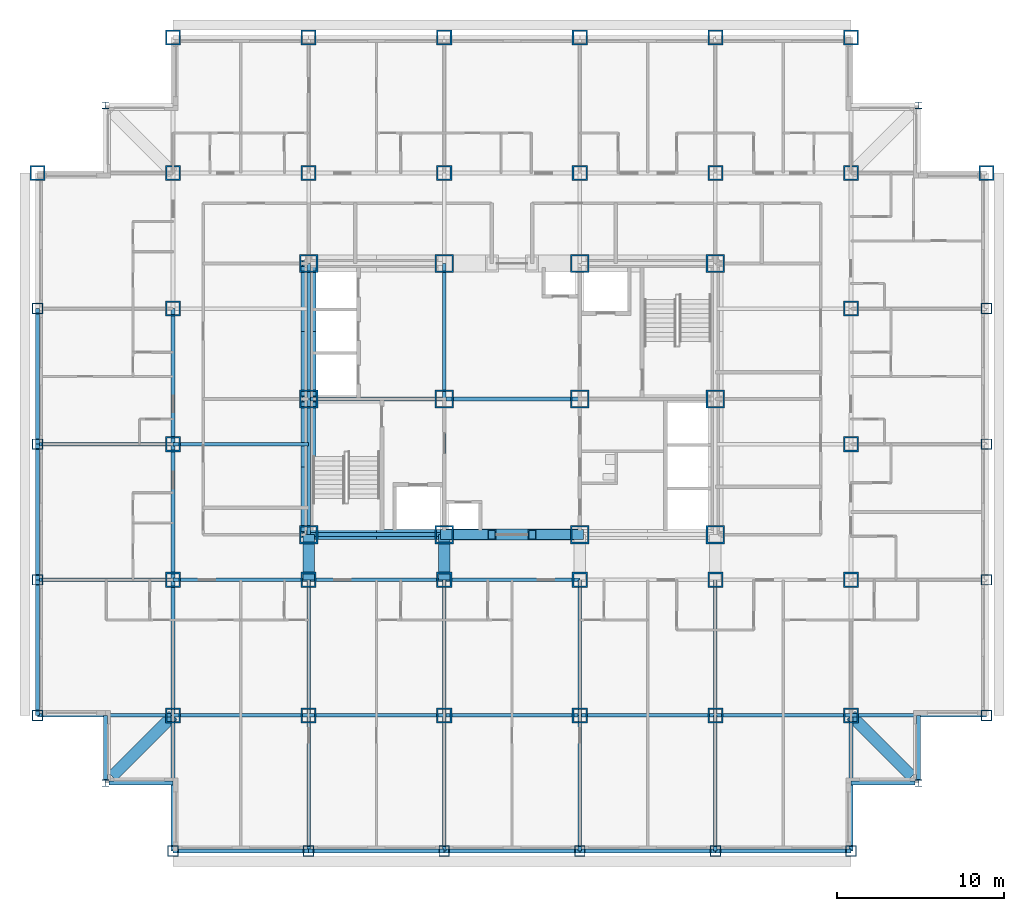
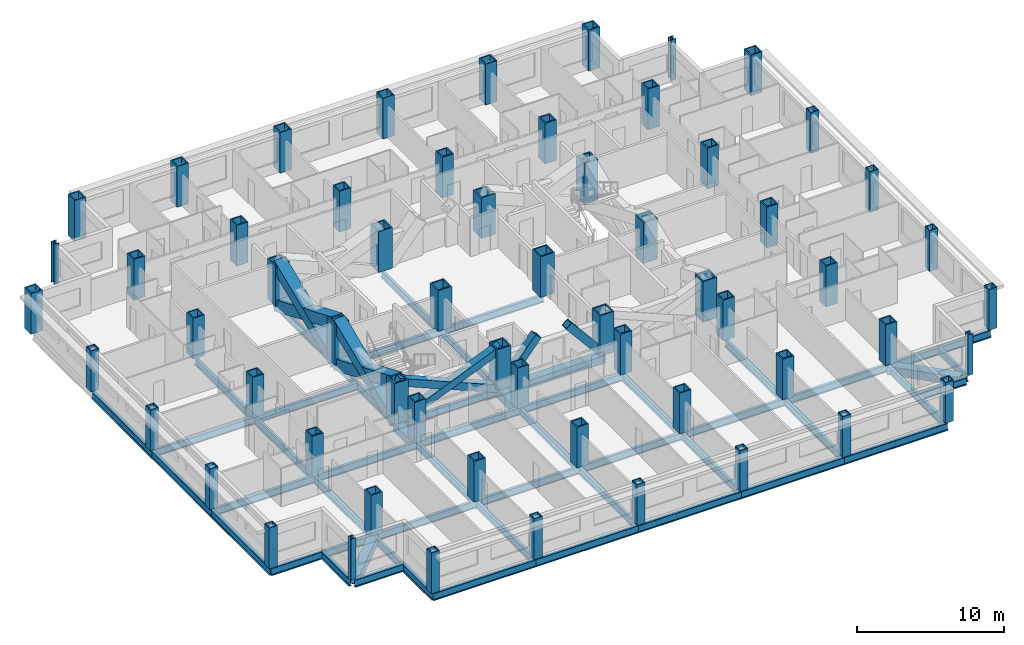
# One storey, part 1 of 14: 60 columns, 50 beams, 8 members.
"""IFC4 building model written with IfcOpenShell, lengths in metres."""

from ifc_helpers import new_model, si_unit, direction, frame, origin, origin_2d, place, context, subcontext, project, spatial, hollow_rectangle, i_section, extrude, material, material_profile, profile_set, type_object, element, save


model = new_model("IFC4")

# Units and contexts
model_context = context("Model", 3, precision=1e-05, world=origin(), true_north=direction((0.0, 1.0)))
body_context = subcontext(model_context, "Body", "Model", "MODEL_VIEW")
ifc_project = project(units=[si_unit("LENGTHUNIT", "METRE"), si_unit("AREAUNIT", "SQUARE_METRE"), si_unit("VOLUMEUNIT", "CUBIC_METRE"), si_unit("PLANEANGLEUNIT", "RADIAN"), si_unit("MASSUNIT", "GRAM", prefix="KILO")], contexts=[model_context])

# Site, building, storey
site_placement = place(None, origin())
site = spatial("IfcSite", under=ifc_project, at=site_placement, CompositionType="ELEMENT")
building_placement = place(site_placement, origin())
building = spatial("IfcBuilding", under=site, at=building_placement, Name="Kopane Lantern Tower", CompositionType="ELEMENT")
storey_placement = place(building_placement, frame((0.0, 0.0, 123.800048828125)))
storey = spatial("IfcBuildingStorey", under=building, at=storey_placement, Name="L31", CompositionType="ELEMENT", Elevation=123.800048828125)

# Columns
ifc_material_1 = material(Name="Steel S355JR", Category="steel")
ifc_material_profile_1 = material_profile(ifc_material_1, hollow_rectangle(XDim=1.10009765625, YDim=1.10009765625, WallThickness=0.10009765625, at=origin_2d()), Name="BOX 1100x1100x100")
ifc_profile_set_1 = profile_set([ifc_material_profile_1], Name="Steel S355JR")
column_type_1 = type_object("IfcColumnType", Name="COLUMN BOX 1100x1100x100", PredefinedType="COLUMN", material=ifc_profile_set_1)
for number, where, z_axis, x_axis, name in (
    (1, (16.199951171875, 24.300048828125, 0.0), (0.0, 0.0, 1.0), (1.0, 0.0, 0.0), "Column 4/E L31"),
    (2, (16.199951171875, 32.39990234375, 0.0), (0.0, 0.0, 1.0), (1.0, 0.0, 0.0), "Column 4/F L31"),
    (3, (16.199951171875, 40.5, 0.0), (0.0, 0.0, 1.0), (1.0, 0.0, 0.0), "Column 4/G L31"),
    (4, (24.300048828125, 24.300048828125, 0.0), (0.0, 0.0, 1.0), (1.0, 0.0, 0.0), "Column 5/E L31"),
    (5, (24.300048828125, 32.39990234375, 0.0), (0.0, 0.0, 1.0), (1.0, 0.0, 0.0), "Column 5/F L31"),
    (6, (24.300048828125, 40.5, 0.0), (0.0, 0.0, 1.0), (1.0, 0.0, 0.0), "Column 5/G L31"),
    (7, (32.39990234375, 24.300048828125, 0.0), (0.0, 0.0, 1.0), (1.0, 0.0, 0.0), "Column 6/E L31"),
    (8, (32.39990234375, 32.39990234375, 0.0), (0.0, 0.0, 1.0), (1.0, 0.0, 0.0), "Column 6/F L31"),
    (9, (32.39990234375, 40.5, 0.0), (0.0, 0.0, 1.0), (1.0, 0.0, 0.0), "Column 6/G L31"),
    (10, (40.5, 24.300048828125, 0.0), (0.0, 0.0, 1.0), (1.0, 0.0, 0.0), "Column 7/E L31"),
    (11, (40.5, 32.39990234375, 0.0), (0.0, 0.0, 1.0), (1.0, 0.0, 0.0), "Column 7/F L31"),
    (12, (40.5, 40.5, 0.0), (0.0, 0.0, 1.0), (1.0, 0.0, 0.0), "Column 7/G L31"),
):
    element("IfcColumn", number, at=place(storey_placement, frame(where, z_axis=z_axis, x_axis=x_axis)), inside=storey, type_object=column_type_1, Name=name, PredefinedType="COLUMN", context=body_context, shape_type="SweptSolid", body=[
        extrude(hollow_rectangle(XDim=1.10009765625, YDim=1.10009765625, WallThickness=0.10009765625, at=origin_2d()), origin(), (0.0, 0.0, 1.0), 3.39990234375),
    ])
ifc_material_2 = material(Name="Steel S355JR", Category="steel")
ifc_material_profile_2 = material_profile(ifc_material_2, hollow_rectangle(XDim=0.64990234375, YDim=0.64990234375, WallThickness=0.054931640625, at=origin_2d()), Name="BOX 650x650x55")
ifc_profile_set_2 = profile_set([ifc_material_profile_2], Name="Steel S355JR")
column_type_2 = type_object("IfcColumnType", Name="COLUMN BOX 650x650x55", PredefinedType="COLUMN", material=ifc_profile_set_2)
for number, where, z_axis, x_axis, name in (
    (13, (0.0, 13.5, 0.0), (0.0, 0.0, 1.0), (1.0, 0.0, 0.0), "Column 2/P2 L31"),
    (14, (0.0, 21.60009765625, 0.0), (0.0, 0.0, 1.0), (1.0, 0.0, 0.0), "Column 2/P3 L31"),
    (15, (0.0, 29.699951171875, 0.0), (0.0, 0.0, 1.0), (1.0, 0.0, 0.0), "Column 2/P4 L31"),
    (16, (0.0, 37.800048828125, 0.0), (0.0, 0.0, 1.0), (1.0, 0.0, 0.0), "Column 2/P5 L31"),
    (17, (8.10009765625, 5.39990234375, 0.0), (0.0, 0.0, 1.0), (1.0, 0.0, 0.0), "Column 3/P1 L31"),
    (18, (16.199951171875, 5.39990234375, 0.0), (0.0, 0.0, 1.0), (1.0, 0.0, 0.0), "Column 4/P1 L31"),
    (19, (24.300048828125, 5.39990234375, 0.0), (0.0, 0.0, 1.0), (1.0, 0.0, 0.0), "Column 5/P1 L31"),
    (20, (32.39990234375, 5.39990234375, 0.0), (0.0, 0.0, 1.0), (1.0, 0.0, 0.0), "Column 6/P1 L31"),
    (21, (40.5, 5.39990234375, 0.0), (0.0, 0.0, 1.0), (1.0, 0.0, 0.0), "Column 7/P1 L31"),
    (22, (48.60009765625, 5.39990234375, 0.0), (0.0, 0.0, 1.0), (1.0, 0.0, 0.0), "Column 8/P1 L31"),
    (23, (56.699951171875, 13.5, 0.0), (0.0, 0.0, 1.0), (1.0, 0.0, 0.0), "Column 9/P2 L31"),
    (24, (56.699951171875, 21.60009765625, 0.0), (0.0, 0.0, 1.0), (1.0, 0.0, 0.0), "Column 9/P3 L31"),
    (25, (56.699951171875, 29.699951171875, 0.0), (0.0, 0.0, 1.0), (1.0, 0.0, 0.0), "Column 9/P4 L31"),
    (26, (56.699951171875, 37.800048828125, 0.0), (0.0, 0.0, 1.0), (1.0, 0.0, 0.0), "Column 9/P5 L31"),
):
    element("IfcColumn", number, at=place(storey_placement, frame(where, z_axis=z_axis, x_axis=x_axis)), inside=storey, type_object=column_type_2, Name=name, PredefinedType="COLUMN", context=body_context, shape_type="SweptSolid", body=[
        extrude(hollow_rectangle(XDim=0.64990234375, YDim=0.64990234375, WallThickness=0.054931640625, at=origin_2d()), origin(), (0.0, 0.0, 1.0), 3.39990234375),
    ])
ifc_material_3 = material(Name="Steel S355JR", Category="steel")
ifc_material_profile_3 = material_profile(ifc_material_3, hollow_rectangle(XDim=0.89990234375, YDim=0.89990234375, WallThickness=0.090087890625, at=origin_2d()), Name="BOX 900x900x90")
ifc_profile_set_3 = profile_set([ifc_material_profile_3], Name="Steel S355JR")
column_type_3 = type_object("IfcColumnType", Name="COLUMN BOX 900x900x90", PredefinedType="COLUMN", material=ifc_profile_set_3)
for number, where, z_axis, x_axis, name in (
    (27, (0.0, 45.89990234375, 0.0), (0.0, 0.0, 1.0), (1.0, 0.0, 0.0), "Column 2/P6 L31"),
    (28, (8.10009765625, 13.5, 0.0), (0.0, 0.0, 1.0), (1.0, 0.0, 0.0), "Column 3/P2 L31"),
    (29, (8.10009765625, 21.60009765625, 0.0), (0.0, 0.0, 1.0), (1.0, 0.0, 0.0), "Column 3/P3 L31"),
    (30, (8.10009765625, 29.699951171875, 0.0), (0.0, 0.0, 1.0), (1.0, 0.0, 0.0), "Column 3/P4 L31"),
    (31, (8.10009765625, 37.800048828125, 0.0), (0.0, 0.0, 1.0), (1.0, 0.0, 0.0), "Column 3/P5 L31"),
    (32, (8.10009765625, 45.89990234375, 0.0), (0.0, 0.0, 1.0), (1.0, 0.0, 0.0), "Column 3/P6 L31"),
    (33, (8.10009765625, 54.0, 0.0), (0.0, 0.0, 1.0), (1.0, 0.0, 0.0), "Column 3/P7 L31"),
    (34, (16.199951171875, 13.5, 0.0), (0.0, 0.0, 1.0), (1.0, 0.0, 0.0), "Column 4/P2 L31"),
    (35, (16.199951171875, 21.60009765625, 0.0), (0.0, 0.0, 1.0), (1.0, 0.0, 0.0), "Column 4/P3 L31"),
    (36, (16.199951171875, 45.89990234375, 0.0), (0.0, 0.0, 1.0), (1.0, 0.0, 0.0), "Column 4/P6 L31"),
    (37, (16.199951171875, 54.0, 0.0), (0.0, 0.0, 1.0), (1.0, 0.0, 0.0), "Column 4/P7 L31"),
    (38, (24.300048828125, 13.5, 0.0), (0.0, 0.0, 1.0), (1.0, 0.0, 0.0), "Column 5/P2 L31"),
    (39, (24.300048828125, 21.60009765625, 0.0), (0.0, 0.0, 1.0), (1.0, 0.0, 0.0), "Column 5/P3 L31"),
    (40, (24.300048828125, 45.89990234375, 0.0), (0.0, 0.0, 1.0), (1.0, 0.0, 0.0), "Column 5/P6 L31"),
    (41, (24.300048828125, 54.0, 0.0), (0.0, 0.0, 1.0), (1.0, 0.0, 0.0), "Column 5/P7 L31"),
    (42, (32.39990234375, 13.5, 0.0), (0.0, 0.0, 1.0), (1.0, 0.0, 0.0), "Column 6/P2 L31"),
    (43, (32.39990234375, 21.60009765625, 0.0), (0.0, 0.0, 1.0), (1.0, 0.0, 0.0), "Column 6/P3 L31"),
    (44, (32.39990234375, 45.89990234375, 0.0), (0.0, 0.0, 1.0), (1.0, 0.0, 0.0), "Column 6/P6 L31"),
    (45, (32.39990234375, 54.0, 0.0), (0.0, 0.0, 1.0), (1.0, 0.0, 0.0), "Column 6/P7 L31"),
    (46, (40.5, 13.5, 0.0), (0.0, 0.0, 1.0), (1.0, 0.0, 0.0), "Column 7/P2 L31"),
    (47, (40.5, 21.60009765625, 0.0), (0.0, 0.0, 1.0), (1.0, 0.0, 0.0), "Column 7/P3 L31"),
    (48, (40.5, 45.89990234375, 0.0), (0.0, 0.0, 1.0), (1.0, 0.0, 0.0), "Column 7/P6 L31"),
    (49, (40.5, 54.0, 0.0), (0.0, 0.0, 1.0), (1.0, 0.0, 0.0), "Column 7/P7 L31"),
    (50, (48.60009765625, 13.5, 0.0), (0.0, 0.0, 1.0), (1.0, 0.0, 0.0), "Column 8/P2 L31"),
    (51, (48.60009765625, 21.60009765625, 0.0), (0.0, 0.0, 1.0), (1.0, 0.0, 0.0), "Column 8/P3 L31"),
    (52, (48.60009765625, 29.699951171875, 0.0), (0.0, 0.0, 1.0), (1.0, 0.0, 0.0), "Column 8/P4 L31"),
    (53, (48.60009765625, 37.800048828125, 0.0), (0.0, 0.0, 1.0), (1.0, 0.0, 0.0), "Column 8/P5 L31"),
    (54, (48.60009765625, 45.89990234375, 0.0), (0.0, 0.0, 1.0), (1.0, 0.0, 0.0), "Column 8/P6 L31"),
    (55, (48.60009765625, 54.0, 0.0), (0.0, 0.0, 1.0), (1.0, 0.0, 0.0), "Column 8/P7 L31"),
    (56, (56.699951171875, 45.89990234375, 0.0), (0.0, 0.0, 1.0), (1.0, 0.0, 0.0), "Column 9/P6 L31"),
):
    element("IfcColumn", number, at=place(storey_placement, frame(where, z_axis=z_axis, x_axis=x_axis)), inside=storey, type_object=column_type_3, Name=name, PredefinedType="COLUMN", context=body_context, shape_type="SweptSolid", body=[
        extrude(hollow_rectangle(XDim=0.89990234375, YDim=0.89990234375, WallThickness=0.090087890625, at=origin_2d()), origin(), (0.0, 0.0, 1.0), 3.39990234375),
    ])
ifc_material_4 = material(Name="Steel S355JR", Category="steel")
ifc_material_profile_4 = material_profile(ifc_material_4, i_section(OverallWidth=0.406982421875, OverallDepth=0.4189453125, WebThickness=0.030517578125, FlangeThickness=0.04931640625, FilletRadius=0.01513671875, at=origin_2d()), Name="UC 356x406x393")
ifc_profile_set_4 = profile_set([ifc_material_profile_4], Name="Steel S355JR")
column_type_4 = type_object("IfcColumnType", Name="COLUMN UC 356x406x393", PredefinedType="COLUMN", material=ifc_profile_set_4)
for number, where, z_axis, x_axis, name in (
    (57, (4.050048828125, 9.449951171875, 0.0), (0.0, 0.0, 1.0), (1.0, 0.0, 0.0), "Column 4.05/9.45 L31"),
    (58, (4.050048828125, 49.949951171875, 0.0), (0.0, 0.0, 1.0), (1.0, 0.0, 0.0), "Column 4.05/49.95 L31"),
    (59, (52.64990234375, 9.449951171875, 0.0), (0.0, 0.0, 1.0), (1.0, 0.0, 0.0), "Column 52.65/9.45 L31"),
    (60, (52.64990234375, 49.949951171875, 0.0), (0.0, 0.0, 1.0), (1.0, 0.0, 0.0), "Column 52.65/49.95 L31"),
):
    element("IfcColumn", number, at=place(storey_placement, frame(where, z_axis=z_axis, x_axis=x_axis)), inside=storey, type_object=column_type_4, Name=name, PredefinedType="COLUMN", context=body_context, shape_type="SweptSolid", body=[
        extrude(i_section(OverallWidth=0.406982421875, OverallDepth=0.4189453125, WebThickness=0.030517578125, FlangeThickness=0.04931640625, FilletRadius=0.01513671875, at=origin_2d()), origin(), (0.0, 0.0, 1.0), 3.39990234375),
    ])

# Members
ifc_material_5 = material(Name="Steel S355JR", Category="steel")
ifc_material_profile_5 = material_profile(ifc_material_5, hollow_rectangle(XDim=0.60009765625, YDim=0.60009765625, WallThickness=0.050048828125, at=origin_2d()), Name="BOX 600x600x50")
ifc_profile_set_5 = profile_set([ifc_material_profile_5], Name="Steel S355JR")
member_type_1 = type_object("IfcMemberType", Name="BRACE BOX 600x600x50", PredefinedType="BRACE", material=ifc_profile_set_5)
for number, where, z_axis, x_axis, name in (
    (61, (16.199951171875, 24.300048828125, -0.2099609375), (0.922069000757, 0.0, 0.387025526088), (0.0, 1.0, 0.0), "Core brace L31"),
    (62, (24.300048828125, 24.300048828125, -0.2099609375), (-0.922069000757, 0.0, 0.387025526088), (0.0, -1.0, 0.0), "Core brace L31"),
):
    element("IfcMember", number, at=place(storey_placement, frame(where, z_axis=z_axis, x_axis=x_axis)), inside=storey, type_object=member_type_1, Name=name, PredefinedType="BRACE", context=body_context, shape_type="SweptSolid", body=[
        extrude(hollow_rectangle(XDim=0.60009765625, YDim=0.60009765625, WallThickness=0.050048828125, at=origin_2d()), origin(), (0.0, 0.0, 1.0), 8.78466796875),
    ])
for number, where, z_axis, x_axis, name in (
    (63, (24.300048828125, 24.300048828125, -0.2099609375), (0.642390257445, 0.0, 0.7663776857), (0.0, 1.0, 0.0), "Core brace L31"),
    (64, (32.39990234375, 24.300048828125, -0.2099609375), (-0.642390257445, 0.0, 0.7663776857), (0.0, -1.0, 0.0), "Core brace L31"),
):
    element("IfcMember", number, at=place(storey_placement, frame(where, z_axis=z_axis, x_axis=x_axis)), inside=storey, type_object=member_type_1, Name=name, PredefinedType="BRACE", context=body_context, shape_type="SweptSolid", body=[
        extrude(hollow_rectangle(XDim=0.60009765625, YDim=0.60009765625, WallThickness=0.050048828125, at=origin_2d()), origin(), (0.0, 0.0, 1.0), 4.436279296875),
    ])
ifc_material_6 = material(Name="Steel S355JR", Category="steel")
ifc_material_profile_6 = material_profile(ifc_material_6, hollow_rectangle(XDim=0.89990234375, YDim=0.89990234375, WallThickness=0.090087890625, at=origin_2d()), Name="BOX 900x900x90")
ifc_profile_set_6 = profile_set([ifc_material_profile_6], Name="Steel S355JR")
member_type_2 = type_object("IfcMemberType", Name="BRACE BOX 900x900x90", PredefinedType="BRACE", material=ifc_profile_set_6)
for number, where, z_axis, x_axis, name in (
    (65, (16.199951171875, 24.300048828125, -0.2099609375), (0.0, 0.922064837731, 0.38703544414), (-1.0, 0.0, 0.0), "Core brace L31"),
    (66, (16.199951171875, 32.39990234375, -0.2099609375), (0.0, -0.922064837731, 0.38703544414), (1.0, 0.0, 0.0), "Core brace L31"),
):
    element("IfcMember", number, at=place(storey_placement, frame(where, z_axis=z_axis, x_axis=x_axis)), inside=storey, type_object=member_type_2, Name=name, PredefinedType="BRACE", context=body_context, shape_type="SweptSolid", body=[
        extrude(hollow_rectangle(XDim=0.89990234375, YDim=0.89990234375, WallThickness=0.090087890625, at=origin_2d()), origin(), (0.0, 0.0, 1.0), 8.784423828125),
    ])
for number, where, z_axis, x_axis, name in (
    (67, (16.199951171875, 32.39990234375, -0.2099609375), (0.0, 0.922069000757, 0.387025526088), (-1.0, 0.0, 0.0), "Core brace L31"),
    (68, (16.199951171875, 40.5, -0.2099609375), (0.0, -0.922069000757, 0.387025526088), (1.0, 0.0, 0.0), "Core brace L31"),
):
    element("IfcMember", number, at=place(storey_placement, frame(where, z_axis=z_axis, x_axis=x_axis)), inside=storey, type_object=member_type_2, Name=name, PredefinedType="BRACE", context=body_context, shape_type="SweptSolid", body=[
        extrude(hollow_rectangle(XDim=0.89990234375, YDim=0.89990234375, WallThickness=0.090087890625, at=origin_2d()), origin(), (0.0, 0.0, 1.0), 8.78466796875),
    ])

# Beams
ifc_material_7 = material(Name="Steel S355JR", Category="steel")
ifc_material_profile_7 = material_profile(ifc_material_7, i_section(OverallWidth=0.22900390625, OverallDepth=0.6123046875, WebThickness=0.011962890625, FlangeThickness=0.01953125, FilletRadius=0.0126953125, at=origin_2d()), Name="UB 610x229x125")
ifc_profile_set_7 = profile_set([ifc_material_profile_7], Name="Steel S355JR")
beam_type_1 = type_object("IfcBeamType", Name="CORE BEAM UB 610x229x125", PredefinedType="BEAM", material=ifc_profile_set_7)
beam_1_placement = place(storey_placement, frame((16.199951171875, 32.39990234375, -0.51611328125), z_axis=(1.0, 0.0, 0.0), x_axis=(0.0, 1.0, 0.0)))
element("IfcBeam", 69, at=beam_1_placement, inside=storey, type_object=beam_type_1, Name="Core Beam L31", PredefinedType="BEAM", context=body_context, shape_type="SweptSolid", body=[
    extrude(i_section(OverallWidth=0.22900390625, OverallDepth=0.6123046875, WebThickness=0.011962890625, FlangeThickness=0.01953125, FilletRadius=0.0126953125, at=origin_2d()), origin(), (0.0, 0.0, 1.0), 8.10009765625),
])
beam_2_placement = place(storey_placement, frame((24.300048828125, 24.300048828125, -0.51611328125), z_axis=(0.0, 1.0, 0.0), x_axis=(-1.0, 0.0, 0.0)))
element("IfcBeam", 70, at=beam_2_placement, inside=storey, type_object=beam_type_1, Name="Core Beam L31", PredefinedType="BEAM", context=body_context, shape_type="SweptSolid", body=[
    extrude(i_section(OverallWidth=0.22900390625, OverallDepth=0.6123046875, WebThickness=0.011962890625, FlangeThickness=0.01953125, FilletRadius=0.0126953125, at=origin_2d()), origin(), (0.0, 0.0, 1.0), 8.099853515625),
])
beam_3_placement = place(storey_placement, frame((24.300048828125, 32.39990234375, -0.51611328125), z_axis=(0.0, 1.0, 0.0), x_axis=(-1.0, 0.0, 0.0)))
element("IfcBeam", 71, at=beam_3_placement, inside=storey, type_object=beam_type_1, Name="Core Beam L31", PredefinedType="BEAM", context=body_context, shape_type="SweptSolid", body=[
    extrude(i_section(OverallWidth=0.22900390625, OverallDepth=0.6123046875, WebThickness=0.011962890625, FlangeThickness=0.01953125, FilletRadius=0.0126953125, at=origin_2d()), origin(), (0.0, 0.0, 1.0), 8.10009765625),
])
beam_4_placement = place(storey_placement, frame((24.300048828125, 32.39990234375, -0.51611328125), z_axis=(1.0, 0.0, 0.0), x_axis=(0.0, 1.0, 0.0)))
element("IfcBeam", 72, at=beam_4_placement, inside=storey, type_object=beam_type_1, Name="Core Beam L31", PredefinedType="BEAM", context=body_context, shape_type="SweptSolid", body=[
    extrude(i_section(OverallWidth=0.22900390625, OverallDepth=0.6123046875, WebThickness=0.011962890625, FlangeThickness=0.01953125, FilletRadius=0.0126953125, at=origin_2d()), origin(), (0.0, 0.0, 1.0), 8.099853515625),
])
ifc_material_8 = material(Name="Steel S355JR", Category="steel")
ifc_material_profile_8 = material_profile(ifc_material_8, hollow_rectangle(XDim=0.699951171875, YDim=0.699951171875, WallThickness=0.06005859375, at=origin_2d()), Name="BOX 700x700x60")
ifc_profile_set_8 = profile_set([ifc_material_profile_8], Name="Steel S355JR")
beam_type_2 = type_object("IfcBeamType", Name="CORNER TIE BEAM BOX 700x700x60", PredefinedType="BEAM", material=ifc_profile_set_8)
beam_5_placement = place(storey_placement, frame((4.447509765625, 9.847412109375, -0.56005859375), z_axis=(0.707106781187, 0.707106781187, 0.0), x_axis=(-0.707106781187, 0.707106781187, 0.0)))
element("IfcBeam", 73, at=beam_5_placement, inside=storey, type_object=beam_type_2, Name="Corner Tie Beam L31", PredefinedType="BEAM", context=body_context, shape_type="SweptSolid", body=[
    extrude(hollow_rectangle(XDim=0.699951171875, YDim=0.699951171875, WallThickness=0.06005859375, at=origin_2d()), origin(), (0.0, 0.0, 1.0), 5.16552734375),
])
beam_6_placement = place(storey_placement, frame((52.25244140625, 9.847412109375, -0.56005859375), z_axis=(-0.707083148333, 0.70713041325, 0.0), x_axis=(-0.70713041325, -0.707083148333, 0.0)))
element("IfcBeam", 74, at=beam_6_placement, inside=storey, type_object=beam_type_2, Name="Corner Tie Beam L31", PredefinedType="BEAM", context=body_context, shape_type="SweptSolid", body=[
    extrude(hollow_rectangle(XDim=0.699951171875, YDim=0.699951171875, WallThickness=0.06005859375, at=origin_2d()), origin(), (0.0, 0.0, 1.0), 5.165283203125),
])
ifc_material_9 = material(Name="Steel S355JR", Category="steel")
ifc_material_profile_9 = material_profile(ifc_material_9, i_section(OverallWidth=0.22900390625, OverallDepth=0.6123046875, WebThickness=0.011962890625, FlangeThickness=0.01953125, FilletRadius=0.0126953125, at=origin_2d()), Name="UB 610x229x125")
ifc_profile_set_9 = profile_set([ifc_material_profile_9], Name="Steel S355JR")
beam_type_3 = type_object("IfcBeamType", Name="EDGE BEAM UB 610x229x125", PredefinedType="BEAM", material=ifc_profile_set_9)
beam_7_placement = place(storey_placement, frame((4.050048828125, 9.653564453125, -0.51611328125), z_axis=(0.0, 1.0, 0.0), x_axis=(-1.0, 0.0, 0.0)))
element("IfcBeam", 75, at=beam_7_placement, inside=storey, type_object=beam_type_3, Name="Edge Beam L31", PredefinedType="BEAM", context=body_context, shape_type="SweptSolid", body=[
    extrude(i_section(OverallWidth=0.22900390625, OverallDepth=0.6123046875, WebThickness=0.011962890625, FlangeThickness=0.01953125, FilletRadius=0.0126953125, at=origin_2d()), origin(), (0.0, 0.0, 1.0), 3.846435546875),
])
beam_8_placement = place(storey_placement, frame((4.25341796875, 9.449951171875, -0.51611328125), z_axis=(1.0, 0.0, 0.0), x_axis=(0.0, 1.0, 0.0)))
element("IfcBeam", 76, at=beam_8_placement, inside=storey, type_object=beam_type_3, Name="Edge Beam L31", PredefinedType="BEAM", context=body_context, shape_type="SweptSolid", body=[
    extrude(i_section(OverallWidth=0.22900390625, OverallDepth=0.6123046875, WebThickness=0.011962890625, FlangeThickness=0.01953125, FilletRadius=0.0126953125, at=origin_2d()), origin(), (0.0, 0.0, 1.0), 3.8466796875),
])
for number, where, z_axis, x_axis, name in (
    (77, (52.446533203125, 9.449951171875, -0.51611328125), (-1.0, 0.0, 0.0), (0.0, -1.0, 0.0), "Edge Beam L31"),
    (78, (52.64990234375, 9.653564453125, -0.51611328125), (0.0, 1.0, 0.0), (-1.0, 0.0, 0.0), "Edge Beam L31"),
):
    element("IfcBeam", number, at=place(storey_placement, frame(where, z_axis=z_axis, x_axis=x_axis)), inside=storey, type_object=beam_type_3, Name=name, PredefinedType="BEAM", context=body_context, shape_type="SweptSolid", body=[
        extrude(i_section(OverallWidth=0.22900390625, OverallDepth=0.6123046875, WebThickness=0.011962890625, FlangeThickness=0.01953125, FilletRadius=0.0126953125, at=origin_2d()), origin(), (0.0, 0.0, 1.0), 3.846435546875),
    ])
ifc_material_10 = material(Name="Steel S355JR", Category="steel")
ifc_material_profile_10 = material_profile(ifc_material_10, hollow_rectangle(XDim=0.699951171875, YDim=0.699951171875, WallThickness=0.06005859375, at=origin_2d()), Name="BOX 700x700x60")
ifc_profile_set_10 = profile_set([ifc_material_profile_10], Name="Steel S355JR")
beam_type_4 = type_object("IfcBeamType", Name="GIRDER BOX 700x700x60", PredefinedType="BEAM", material=ifc_profile_set_10)
for number, where, z_axis, x_axis, name in (
    (79, (16.199951171875, 21.60009765625, -0.56005859375), (0.0, 1.0, 0.0), (-1.0, 0.0, 0.0), "Girder L31"),
    (80, (24.300048828125, 21.60009765625, -0.56005859375), (0.0, 1.0, 0.0), (-1.0, 0.0, 0.0), "Girder L31"),
):
    element("IfcBeam", number, at=place(storey_placement, frame(where, z_axis=z_axis, x_axis=x_axis)), inside=storey, type_object=beam_type_4, Name=name, PredefinedType="BEAM", context=body_context, shape_type="SweptSolid", body=[
        extrude(hollow_rectangle(XDim=0.699951171875, YDim=0.699951171875, WallThickness=0.06005859375, at=origin_2d()), origin(), (0.0, 0.0, 1.0), 2.699951171875),
    ])
ifc_material_11 = material(Name="Steel S355JR", Category="steel")
ifc_material_profile_11 = material_profile(ifc_material_11, i_section(OverallWidth=0.22900390625, OverallDepth=0.6123046875, WebThickness=0.011962890625, FlangeThickness=0.01953125, FilletRadius=0.0126953125, at=origin_2d()), Name="UB 610x229x125")
ifc_profile_set_11 = profile_set([ifc_material_profile_11], Name="Steel S355JR")
beam_type_5 = type_object("IfcBeamType", Name="GIRDER UB 610x229x125", PredefinedType="BEAM", material=ifc_profile_set_11)
for number, where, z_axis, x_axis, name in (
    (81, (0.0, 13.5, -0.51611328125), (0.0, 1.0, 0.0), (-1.0, 0.0, 0.0), "Girder L31"),
    (82, (0.0, 13.5, -0.51611328125), (1.0, 0.0, 0.0), (0.0, 1.0, 0.0), "Girder L31"),
):
    element("IfcBeam", number, at=place(storey_placement, frame(where, z_axis=z_axis, x_axis=x_axis)), inside=storey, type_object=beam_type_5, Name=name, PredefinedType="BEAM", context=body_context, shape_type="SweptSolid", body=[
        extrude(i_section(OverallWidth=0.22900390625, OverallDepth=0.6123046875, WebThickness=0.011962890625, FlangeThickness=0.01953125, FilletRadius=0.0126953125, at=origin_2d()), origin(), (0.0, 0.0, 1.0), 8.10009765625),
    ])
beam_9_placement = place(storey_placement, frame((0.0, 21.60009765625, -0.51611328125), z_axis=(0.0, 1.0, 0.0), x_axis=(-1.0, 0.0, 0.0)))
element("IfcBeam", 83, at=beam_9_placement, inside=storey, type_object=beam_type_5, Name="Girder L31", PredefinedType="BEAM", context=body_context, shape_type="SweptSolid", body=[
    extrude(i_section(OverallWidth=0.22900390625, OverallDepth=0.6123046875, WebThickness=0.011962890625, FlangeThickness=0.01953125, FilletRadius=0.0126953125, at=origin_2d()), origin(), (0.0, 0.0, 1.0), 8.099853515625),
])
for number, where, z_axis, x_axis, name in (
    (84, (0.0, 21.60009765625, -0.51611328125), (1.0, 0.0, 0.0), (0.0, 1.0, 0.0), "Girder L31"),
    (85, (0.0, 29.699951171875, -0.51611328125), (0.0, 1.0, 0.0), (-1.0, 0.0, 0.0), "Girder L31"),
    (86, (0.0, 29.699951171875, -0.51611328125), (1.0, 0.0, 0.0), (0.0, 1.0, 0.0), "Girder L31"),
    (87, (8.10009765625, 5.39990234375, -0.51611328125), (0.0, 1.0, 0.0), (-1.0, 0.0, 0.0), "Girder L31"),
):
    element("IfcBeam", number, at=place(storey_placement, frame(where, z_axis=z_axis, x_axis=x_axis)), inside=storey, type_object=beam_type_5, Name=name, PredefinedType="BEAM", context=body_context, shape_type="SweptSolid", body=[
        extrude(i_section(OverallWidth=0.22900390625, OverallDepth=0.6123046875, WebThickness=0.011962890625, FlangeThickness=0.01953125, FilletRadius=0.0126953125, at=origin_2d()), origin(), (0.0, 0.0, 1.0), 8.10009765625),
    ])
beam_10_placement = place(storey_placement, frame((8.10009765625, 5.39990234375, -0.51611328125), z_axis=(1.0, 0.0, 0.0), x_axis=(0.0, 1.0, 0.0)))
element("IfcBeam", 88, at=beam_10_placement, inside=storey, type_object=beam_type_5, Name="Girder L31", PredefinedType="BEAM", context=body_context, shape_type="SweptSolid", body=[
    extrude(i_section(OverallWidth=0.22900390625, OverallDepth=0.6123046875, WebThickness=0.011962890625, FlangeThickness=0.01953125, FilletRadius=0.0126953125, at=origin_2d()), origin(), (0.0, 0.0, 1.0), 8.099853515625),
])
beam_11_placement = place(storey_placement, frame((8.10009765625, 13.5, -0.51611328125), z_axis=(0.0, 1.0, 0.0), x_axis=(-1.0, 0.0, 0.0)))
element("IfcBeam", 89, at=beam_11_placement, inside=storey, type_object=beam_type_5, Name="Girder L31", PredefinedType="BEAM", context=body_context, shape_type="SweptSolid", body=[
    extrude(i_section(OverallWidth=0.22900390625, OverallDepth=0.6123046875, WebThickness=0.011962890625, FlangeThickness=0.01953125, FilletRadius=0.0126953125, at=origin_2d()), origin(), (0.0, 0.0, 1.0), 8.10009765625),
])
for number, where, z_axis, x_axis, name in (
    (90, (8.10009765625, 13.5, -0.51611328125), (1.0, 0.0, 0.0), (0.0, 1.0, 0.0), "Girder L31"),
    (91, (8.10009765625, 21.60009765625, -0.51611328125), (0.0, 1.0, 0.0), (-1.0, 0.0, 0.0), "Girder L31"),
    (92, (8.10009765625, 21.60009765625, -0.51611328125), (1.0, 0.0, 0.0), (0.0, 1.0, 0.0), "Girder L31"),
):
    element("IfcBeam", number, at=place(storey_placement, frame(where, z_axis=z_axis, x_axis=x_axis)), inside=storey, type_object=beam_type_5, Name=name, PredefinedType="BEAM", context=body_context, shape_type="SweptSolid", body=[
        extrude(i_section(OverallWidth=0.22900390625, OverallDepth=0.6123046875, WebThickness=0.011962890625, FlangeThickness=0.01953125, FilletRadius=0.0126953125, at=origin_2d()), origin(), (0.0, 0.0, 1.0), 8.099853515625),
    ])
beam_12_placement = place(storey_placement, frame((8.10009765625, 29.699951171875, -0.51611328125), z_axis=(0.0, 1.0, 0.0), x_axis=(-1.0, 0.0, 0.0)))
element("IfcBeam", 93, at=beam_12_placement, inside=storey, type_object=beam_type_5, Name="Girder L31", PredefinedType="BEAM", context=body_context, shape_type="SweptSolid", body=[
    extrude(i_section(OverallWidth=0.22900390625, OverallDepth=0.6123046875, WebThickness=0.011962890625, FlangeThickness=0.01953125, FilletRadius=0.0126953125, at=origin_2d()), origin(), (0.0, 0.0, 1.0), 8.10009765625),
])
beam_13_placement = place(storey_placement, frame((8.10009765625, 29.699951171875, -0.51611328125), z_axis=(1.0, 0.0, 0.0), x_axis=(0.0, 1.0, 0.0)))
element("IfcBeam", 94, at=beam_13_placement, inside=storey, type_object=beam_type_5, Name="Girder L31", PredefinedType="BEAM", context=body_context, shape_type="SweptSolid", body=[
    extrude(i_section(OverallWidth=0.22900390625, OverallDepth=0.6123046875, WebThickness=0.011962890625, FlangeThickness=0.01953125, FilletRadius=0.0126953125, at=origin_2d()), origin(), (0.0, 0.0, 1.0), 8.099853515625),
])
for number, where, z_axis, x_axis, name in (
    (95, (16.199951171875, 5.39990234375, -0.51611328125), (0.0, 1.0, 0.0), (-1.0, 0.0, 0.0), "Girder L31"),
    (96, (16.199951171875, 5.39990234375, -0.51611328125), (1.0, 0.0, 0.0), (0.0, 1.0, 0.0), "Girder L31"),
    (97, (16.199951171875, 13.5, -0.51611328125), (0.0, 1.0, 0.0), (-1.0, 0.0, 0.0), "Girder L31"),
    (98, (16.199951171875, 13.5, -0.51611328125), (1.0, 0.0, 0.0), (0.0, 1.0, 0.0), "Girder L31"),
    (99, (16.199951171875, 21.60009765625, -0.51611328125), (1.0, 0.0, 0.0), (0.0, 1.0, 0.0), "Girder L31"),
):
    element("IfcBeam", number, at=place(storey_placement, frame(where, z_axis=z_axis, x_axis=x_axis)), inside=storey, type_object=beam_type_5, Name=name, PredefinedType="BEAM", context=body_context, shape_type="SweptSolid", body=[
        extrude(i_section(OverallWidth=0.22900390625, OverallDepth=0.6123046875, WebThickness=0.011962890625, FlangeThickness=0.01953125, FilletRadius=0.0126953125, at=origin_2d()), origin(), (0.0, 0.0, 1.0), 8.10009765625),
    ])
beam_14_placement = place(storey_placement, frame((16.199951171875, 24.300048828125, -0.51611328125), z_axis=(0.0, 1.0, 0.0), x_axis=(-1.0, 0.0, 0.0)))
element("IfcBeam", 100, at=beam_14_placement, inside=storey, type_object=beam_type_5, Name="Girder L31", PredefinedType="BEAM", context=body_context, shape_type="SweptSolid", body=[
    extrude(i_section(OverallWidth=0.22900390625, OverallDepth=0.6123046875, WebThickness=0.011962890625, FlangeThickness=0.01953125, FilletRadius=0.0126953125, at=origin_2d()), origin(), (0.0, 0.0, 1.0), 8.099853515625),
])
for number, where, z_axis, x_axis, name in (
    (101, (16.199951171875, 24.300048828125, -0.51611328125), (1.0, 0.0, 0.0), (0.0, 1.0, 0.0), "Girder L31"),
    (102, (16.199951171875, 32.39990234375, -0.51611328125), (0.0, 1.0, 0.0), (-1.0, 0.0, 0.0), "Girder L31"),
    (103, (24.300048828125, 5.39990234375, -0.51611328125), (0.0, 1.0, 0.0), (-1.0, 0.0, 0.0), "Girder L31"),
):
    element("IfcBeam", number, at=place(storey_placement, frame(where, z_axis=z_axis, x_axis=x_axis)), inside=storey, type_object=beam_type_5, Name=name, PredefinedType="BEAM", context=body_context, shape_type="SweptSolid", body=[
        extrude(i_section(OverallWidth=0.22900390625, OverallDepth=0.6123046875, WebThickness=0.011962890625, FlangeThickness=0.01953125, FilletRadius=0.0126953125, at=origin_2d()), origin(), (0.0, 0.0, 1.0), 8.10009765625),
    ])
beam_15_placement = place(storey_placement, frame((24.300048828125, 5.39990234375, -0.51611328125), z_axis=(1.0, 0.0, 0.0), x_axis=(0.0, 1.0, 0.0)))
element("IfcBeam", 104, at=beam_15_placement, inside=storey, type_object=beam_type_5, Name="Girder L31", PredefinedType="BEAM", context=body_context, shape_type="SweptSolid", body=[
    extrude(i_section(OverallWidth=0.22900390625, OverallDepth=0.6123046875, WebThickness=0.011962890625, FlangeThickness=0.01953125, FilletRadius=0.0126953125, at=origin_2d()), origin(), (0.0, 0.0, 1.0), 8.099853515625),
])
beam_16_placement = place(storey_placement, frame((24.300048828125, 13.5, -0.51611328125), z_axis=(0.0, 1.0, 0.0), x_axis=(-1.0, 0.0, 0.0)))
element("IfcBeam", 105, at=beam_16_placement, inside=storey, type_object=beam_type_5, Name="Girder L31", PredefinedType="BEAM", context=body_context, shape_type="SweptSolid", body=[
    extrude(i_section(OverallWidth=0.22900390625, OverallDepth=0.6123046875, WebThickness=0.011962890625, FlangeThickness=0.01953125, FilletRadius=0.0126953125, at=origin_2d()), origin(), (0.0, 0.0, 1.0), 8.10009765625),
])
for number, where, z_axis, x_axis, name in (
    (106, (24.300048828125, 13.5, -0.51611328125), (1.0, 0.0, 0.0), (0.0, 1.0, 0.0), "Girder L31"),
    (107, (24.300048828125, 21.60009765625, -0.51611328125), (1.0, 0.0, 0.0), (0.0, 1.0, 0.0), "Girder L31"),
):
    element("IfcBeam", number, at=place(storey_placement, frame(where, z_axis=z_axis, x_axis=x_axis)), inside=storey, type_object=beam_type_5, Name=name, PredefinedType="BEAM", context=body_context, shape_type="SweptSolid", body=[
        extrude(i_section(OverallWidth=0.22900390625, OverallDepth=0.6123046875, WebThickness=0.011962890625, FlangeThickness=0.01953125, FilletRadius=0.0126953125, at=origin_2d()), origin(), (0.0, 0.0, 1.0), 8.099853515625),
    ])
for number, where, z_axis, x_axis, name in (
    (108, (32.39990234375, 5.39990234375, -0.51611328125), (0.0, 1.0, 0.0), (-1.0, 0.0, 0.0), "Girder L31"),
    (109, (32.39990234375, 5.39990234375, -0.51611328125), (1.0, 0.0, 0.0), (0.0, 1.0, 0.0), "Girder L31"),
    (110, (32.39990234375, 13.5, -0.51611328125), (0.0, 1.0, 0.0), (-1.0, 0.0, 0.0), "Girder L31"),
    (111, (32.39990234375, 13.5, -0.51611328125), (1.0, 0.0, 0.0), (0.0, 1.0, 0.0), "Girder L31"),
    (112, (40.5, 5.39990234375, -0.51611328125), (0.0, 1.0, 0.0), (-1.0, 0.0, 0.0), "Girder L31"),
    (113, (40.5, 5.39990234375, -0.51611328125), (1.0, 0.0, 0.0), (0.0, 1.0, 0.0), "Girder L31"),
    (114, (40.5, 13.5, -0.51611328125), (0.0, 1.0, 0.0), (-1.0, 0.0, 0.0), "Girder L31"),
    (115, (40.5, 13.5, -0.51611328125), (1.0, 0.0, 0.0), (0.0, 1.0, 0.0), "Girder L31"),
    (116, (48.60009765625, 5.39990234375, -0.51611328125), (0.0, 1.0, 0.0), (-1.0, 0.0, 0.0), "Girder L31"),
):
    element("IfcBeam", number, at=place(storey_placement, frame(where, z_axis=z_axis, x_axis=x_axis)), inside=storey, type_object=beam_type_5, Name=name, PredefinedType="BEAM", context=body_context, shape_type="SweptSolid", body=[
        extrude(i_section(OverallWidth=0.22900390625, OverallDepth=0.6123046875, WebThickness=0.011962890625, FlangeThickness=0.01953125, FilletRadius=0.0126953125, at=origin_2d()), origin(), (0.0, 0.0, 1.0), 8.10009765625),
    ])
beam_17_placement = place(storey_placement, frame((48.60009765625, 13.5, -0.51611328125), z_axis=(1.0, 0.0, 0.0), x_axis=(0.0, 1.0, 0.0)))
element("IfcBeam", 117, at=beam_17_placement, inside=storey, type_object=beam_type_5, Name="Girder L31", PredefinedType="BEAM", context=body_context, shape_type="SweptSolid", body=[
    extrude(i_section(OverallWidth=0.22900390625, OverallDepth=0.6123046875, WebThickness=0.011962890625, FlangeThickness=0.01953125, FilletRadius=0.0126953125, at=origin_2d()), origin(), (0.0, 0.0, 1.0), 8.099853515625),
])
ifc_material_12 = material(Name="Steel S355JR", Category="steel")
ifc_material_profile_12 = material_profile(ifc_material_12, hollow_rectangle(XDim=0.64990234375, YDim=0.64990234375, WallThickness=0.070068359375, at=origin_2d()), Name="BOX 650x650x70")
ifc_profile_set_12 = profile_set([ifc_material_profile_12], Name="Steel S355JR")
beam_type_6 = type_object("IfcBeamType", Name="LINK BEAM BOX 650x650x70", PredefinedType="BEAM", material=ifc_profile_set_12)
beam_18_placement = place(storey_placement, frame((24.300048828125, 24.300048828125, -0.53515625), z_axis=(1.0, 0.0, 0.0), x_axis=(0.0, 1.0, 0.0)))
element("IfcBeam", 118, at=beam_18_placement, inside=storey, type_object=beam_type_6, Name="Link Beam L31", PredefinedType="BEAM", context=body_context, shape_type="SweptSolid", body=[
    extrude(hollow_rectangle(XDim=0.64990234375, YDim=0.64990234375, WallThickness=0.070068359375, at=origin_2d()), origin(), (0.0, 0.0, 1.0), 8.099853515625),
])

save(model, "model.ifc")
